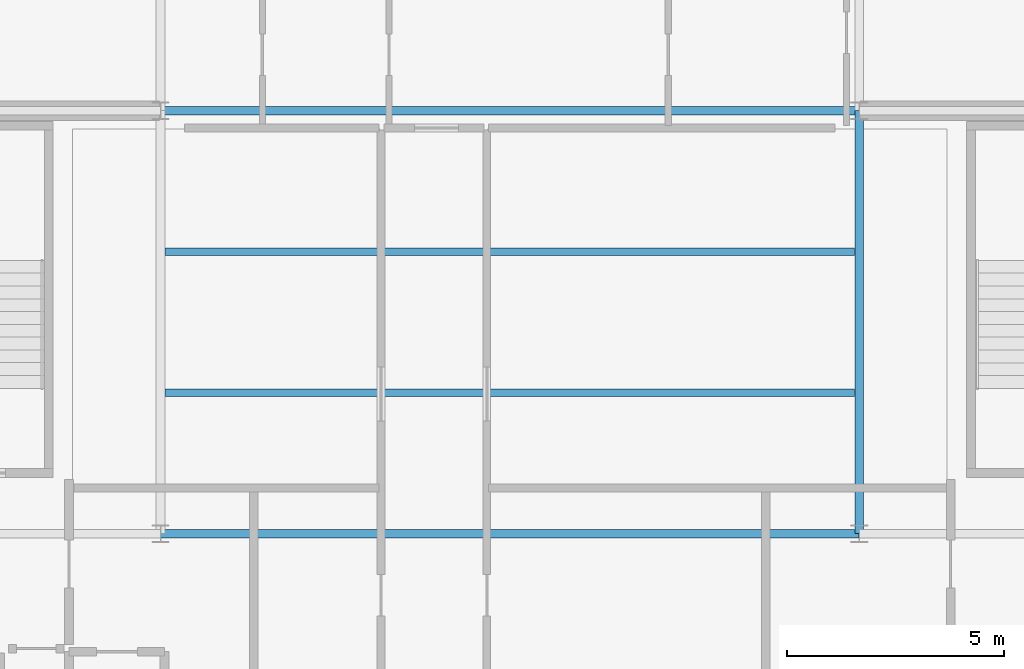
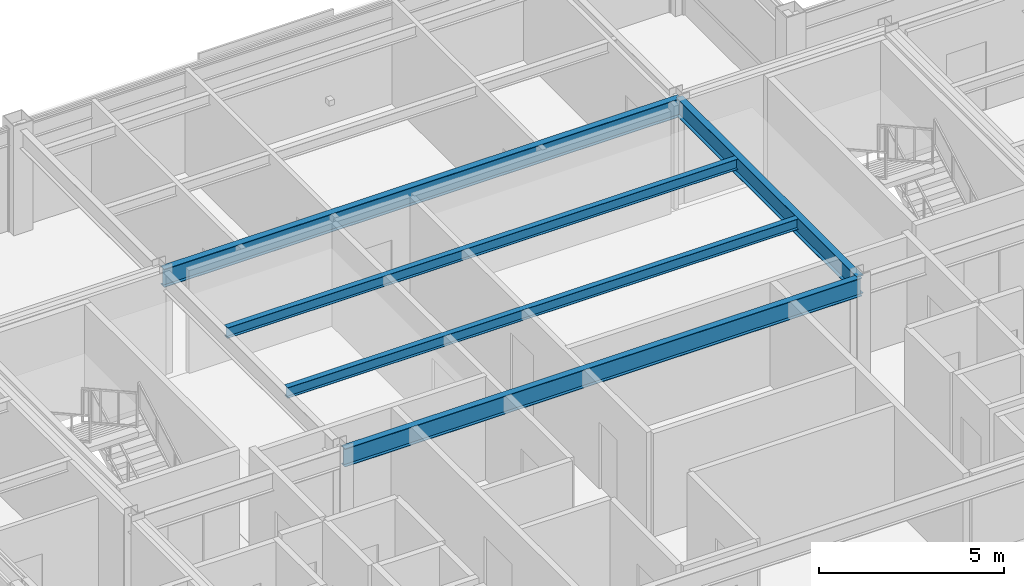
# One storey, part 14 of 28: 5 beams.
"""IFC4 building model written with IfcOpenShell, lengths in metres."""

from ifc_helpers import new_model, si_unit, direction, frame, origin, origin_2d, place, context, subcontext, project, spatial, i_section, extrude, material, material_profile, profile_set, type_object, element, save


model = new_model("IFC4")

# Units and contexts
model_context = context("Model", 3, precision=1e-05, world=origin(), true_north=direction((0.0, 1.0)))
body_context = subcontext(model_context, "Body", "Model", "MODEL_VIEW")
ifc_project = project(units=[si_unit("LENGTHUNIT", "METRE"), si_unit("AREAUNIT", "SQUARE_METRE"), si_unit("VOLUMEUNIT", "CUBIC_METRE"), si_unit("PLANEANGLEUNIT", "RADIAN"), si_unit("MASSUNIT", "GRAM", prefix="KILO")], contexts=[model_context])

# Site, building, storey
site_placement = place(None, origin())
site = spatial("IfcSite", under=ifc_project, at=site_placement, CompositionType="ELEMENT")
building_placement = place(site_placement, origin())
building = spatial("IfcBuilding", under=site, at=building_placement, Name="Brelmoor Portico Tower", CompositionType="ELEMENT")
storey_placement = place(building_placement, frame((0.0, 0.0, 265.199951171875)))
storey = spatial("IfcBuildingStorey", under=building, at=storey_placement, Name="L70", CompositionType="ELEMENT", Elevation=265.199951171875)

# Beams
ifc_material = material(Name="Steel Q355B", Category="steel")
ifc_material_profile_1 = material_profile(ifc_material, i_section(OverallWidth=0.175048828125, OverallDepth=0.35009765625, WebThickness=0.007080078125, FlangeThickness=0.010986328125, at=origin_2d()), Name="HN 350x175x7x11")
ifc_profile_set_1 = profile_set([ifc_material_profile_1], Name="Steel Q355B")
beam_type_1 = type_object("IfcBeamType", Name="BM-JS-350", PredefinedType="JOIST", material=ifc_profile_set_1)
for number, where, z_axis, x_axis, name in (
    (1, (-7.949951171875, 3.25, 3.22509765625), (1.0, 0.0, 0.0), (0.0, 1.0, 0.0), "L70 Secondary Composite Joist JS-C03"),
    (2, (-7.949951171875, 6.5, 3.22509765625), (1.0, 0.0, 0.0), (0.0, 1.0, 0.0), "L70 Secondary Composite Joist JS-C04"),
):
    element("IfcBeam", number, at=place(storey_placement, frame(where, z_axis=z_axis, x_axis=x_axis)), inside=storey, type_object=beam_type_1, Name=name, PredefinedType="JOIST", context=body_context, shape_type="SweptSolid", body=[
        extrude(i_section(OverallWidth=0.175048828125, OverallDepth=0.35009765625, WebThickness=0.007080078125, FlangeThickness=0.010986328125, at=origin_2d()), origin(), (0.0, 0.0, 1.0), 15.89990234375),
    ])
ifc_material_profile_2 = material_profile(ifc_material, i_section(OverallWidth=0.199951171875, OverallDepth=0.60009765625, WebThickness=0.010986328125, FlangeThickness=0.01708984375, at=origin_2d()), Name="HN 600x200x11x17")
ifc_profile_set_2 = profile_set([ifc_material_profile_2], Name="Steel Q355B")
beam_type_2 = type_object("IfcBeamType", Name="BM-PG-600", PredefinedType="BEAM", material=ifc_profile_set_2)
beam_placement = place(storey_placement, frame((8.050048828125, 0.0, 3.10009765625), z_axis=(0.0, 1.0, 0.0), x_axis=(-1.0, 0.0, 0.0)))
element("IfcBeam", 3, at=beam_placement, inside=storey, type_object=beam_type_2, Name="L70 Primary Floor Girder PG-07", PredefinedType="BEAM", context=body_context, shape_type="SweptSolid", body=[
    extrude(i_section(OverallWidth=0.199951171875, OverallDepth=0.60009765625, WebThickness=0.010986328125, FlangeThickness=0.01708984375, at=origin_2d()), origin(), (0.0, 0.0, 1.0), 9.75),
])
for number, where, z_axis, x_axis, name in (
    (4, (-8.050048828125, 0.0, 3.10009765625), (1.0, 0.0, 0.0), (0.0, 1.0, 0.0), "L70 Primary Floor Girder PG-17"),
    (5, (-8.050048828125, 9.75, 3.10009765625), (1.0, 0.0, 0.0), (0.0, 1.0, 0.0), "L70 Primary Floor Girder PG-21"),
):
    element("IfcBeam", number, at=place(storey_placement, frame(where, z_axis=z_axis, x_axis=x_axis)), inside=storey, type_object=beam_type_2, Name=name, PredefinedType="BEAM", context=body_context, shape_type="SweptSolid", body=[
        extrude(i_section(OverallWidth=0.199951171875, OverallDepth=0.60009765625, WebThickness=0.010986328125, FlangeThickness=0.01708984375, at=origin_2d()), origin(), (0.0, 0.0, 1.0), 16.10009765625),
    ])

save(model, "model.ifc")
